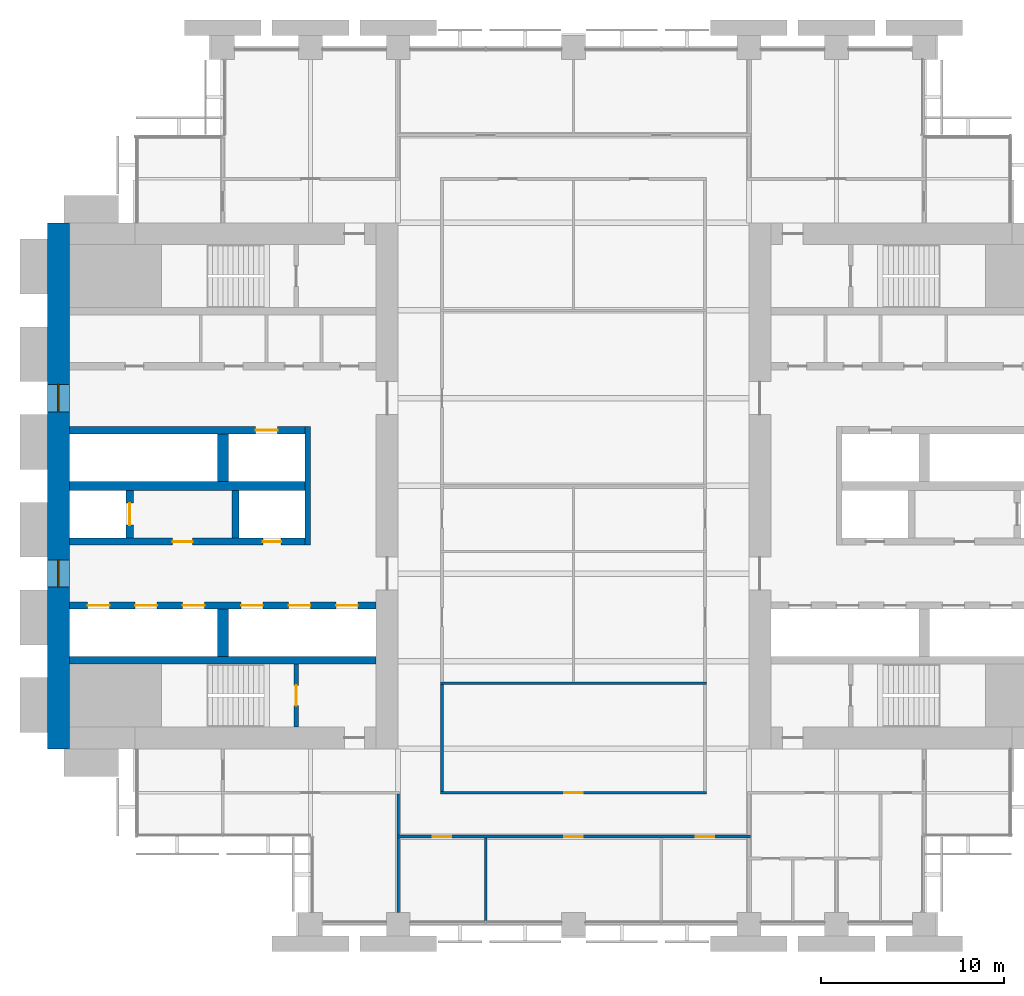
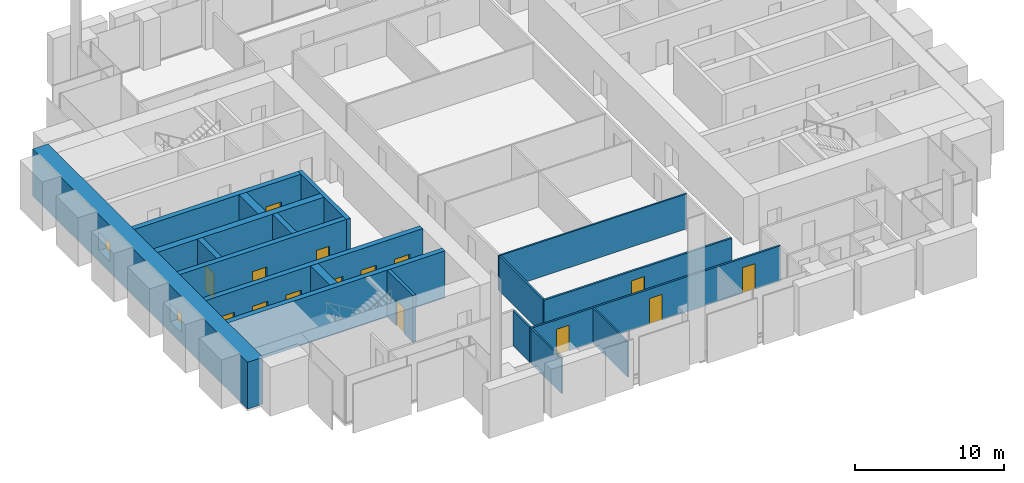
# One storey, part 9 of 14: 19 walls, 15 doors, 2 windows, 17 openings.
"""IFC4 building model written with IfcOpenShell, lengths in metres."""

from ifc_helpers import new_model, si_unit, direction, frame, frame_2d, origin, place, context, subcontext, project, spatial, rectangle, extrude, material, layer, layer_set, type_object, element, fill, save


model = new_model("IFC4")

# Units and contexts
model_context = context("Model", 3, precision=1e-05, world=origin(), true_north=direction((0.0, 1.0)))
body_context = subcontext(model_context, "Body", "Model", "MODEL_VIEW")
ifc_project = project(units=[si_unit("LENGTHUNIT", "METRE"), si_unit("AREAUNIT", "SQUARE_METRE"), si_unit("VOLUMEUNIT", "CUBIC_METRE"), si_unit("PLANEANGLEUNIT", "RADIAN"), si_unit("MASSUNIT", "GRAM", prefix="KILO")], contexts=[model_context])

# Site, building, storey
site_placement = place(None, origin())
site = spatial("IfcSite", under=ifc_project, at=site_placement, CompositionType="ELEMENT")
building_placement = place(site_placement, origin())
building = spatial("IfcBuilding", under=site, at=building_placement, Name="Baori Bourse Tower", CompositionType="ELEMENT")
storey_placement = place(building_placement, frame((0.0, 0.0, 51.0)))
storey = spatial("IfcBuildingStorey", under=building, at=storey_placement, Name="L10", CompositionType="ELEMENT", Elevation=51.0)

# Wall, openings, windows
ifc_material_1 = material(Name="Concrete f'c 70 MPa", Category="concrete")
ifc_layer_1 = layer(ifc_material_1, 1.199951171875)
ifc_layer_set_1 = layer_set([ifc_layer_1], Name="Core wall 1200 f'c 70")
wall_type_1 = type_object("IfcWallType", Name="Core wall 1200 f'c 70", PredefinedType="SHEAR", material=ifc_layer_set_1)
wall_1_placement = place(storey_placement, frame((0.60009765625, 9.60009765625, 0.0), z_axis=(0.0, 0.0, 1.0), x_axis=(0.0, 1.0, 0.0)))
wall_1 = element("IfcWall", 1, at=wall_1_placement, inside=storey, type_object=wall_type_1, Name="Core wall W01", PredefinedType="SHEAR", context=body_context, shape_type="SweptSolid", body=[
    extrude(rectangle(XDim=28.7998046875, YDim=1.199951171875, at=frame_2d((14.39990234375, 0.0))), origin(), (0.0, 0.0, 1.0), 3.840087890625),
])
opening_1_placement = place(wall_1_placement, frame((8.85009765625, 0.0, 0.89990234375)))
opening_1 = element("IfcOpeningElement", 2, at=opening_1_placement, cuts=wall_1, Name="Opening L10-KW101", PredefinedType="OPENING", context=body_context, shape_type="SweptSolid", body=[
    extrude(rectangle(XDim=1.5, YDim=1.5, at=frame_2d((0.75, 0.75))), frame((0.0, 0.60986328125, 0.0), z_axis=(0.0, -1.0, 0.0), x_axis=(1.0, 0.0, 0.0)), (0.0, 0.0, 1.0), 1.219970703125),
])
opening_2_placement = place(wall_1_placement, frame((18.449951171875, 0.0, 0.89990234375)))
opening_2 = element("IfcOpeningElement", 3, at=opening_2_placement, cuts=wall_1, Name="Opening L10-KW102", PredefinedType="OPENING", context=body_context, shape_type="SweptSolid", body=[
    extrude(rectangle(XDim=1.5, YDim=1.5, at=frame_2d((0.75, 0.75))), frame((0.0, 0.60986328125, 0.0), z_axis=(0.0, -1.0, 0.0), x_axis=(1.0, 0.0, 0.0)), (0.0, 0.0, 1.0), 1.219970703125),
])
ifc_material_2 = material(Name="Pale anodised aluminium", Category="aluminium")
window_type = type_object("IfcWindowType", Name="Lobby window 1500 x 1500", PartitioningType="SINGLE_PANEL", PredefinedType="WINDOW", material=ifc_material_2)
window_1_placement = place(opening_1_placement, origin())
window_1 = element("IfcWindow", 4, at=window_1_placement, inside=storey, type_object=window_type, Name="Outer wall window W L10 1", OverallHeight=1.5, OverallWidth=1.5, PartitioningType="SINGLE_PANEL", PredefinedType="WINDOW", context=body_context, shape_type="SweptSolid", body=[
    extrude(rectangle(XDim=1.5, YDim=1.5, at=frame_2d((0.75, 0.75))), frame((0.0, 0.030029296875, 0.0), z_axis=(0.0, -1.0, 0.0), x_axis=(1.0, 0.0, 0.0)), (0.0, 0.0, 1.0), 0.06005859375),
])
fill(opening_1, window_1)
window_2_placement = place(opening_2_placement, origin())
window_2 = element("IfcWindow", 5, at=window_2_placement, inside=storey, type_object=window_type, Name="Outer wall window W L10 2", OverallHeight=1.5, OverallWidth=1.5, PartitioningType="SINGLE_PANEL", PredefinedType="WINDOW", context=body_context, shape_type="SweptSolid", body=[
    extrude(rectangle(XDim=1.5, YDim=1.5, at=frame_2d((0.75, 0.75))), frame((0.0, 0.030029296875, 0.0), z_axis=(0.0, -1.0, 0.0), x_axis=(1.0, 0.0, 0.0)), (0.0, 0.0, 1.0), 0.06005859375),
])
fill(opening_2, window_2)

# Wall, openings, doors
ifc_material_3 = material(Name="Gypsum board partition")
ifc_layer_2 = layer(ifc_material_3, 0.14990234375)
ifc_layer_set_2 = layer_set([ifc_layer_2], Name="Corridor partition 150")
wall_type_2 = type_object("IfcWallType", Name="Corridor partition 150", PredefinedType="PARTITIONING", material=ifc_layer_set_2)
wall_2_placement = place(storey_placement, frame((19.125, 4.800048828125, 0.0), z_axis=(0.0, 0.0, 1.0), x_axis=(1.0, 0.0, 0.0)))
wall_2 = element("IfcWall", 6, at=wall_2_placement, inside=storey, type_object=wall_type_2, Name="Partition", PredefinedType="PARTITIONING", context=body_context, shape_type="SweptSolid", body=[
    extrude(rectangle(XDim=19.35009765625, YDim=0.14990234375, at=frame_2d((9.675048828125, 0.0))), origin(), (0.0, 0.0, 1.0), 2.86962890625),
])
opening_3_placement = place(wall_2_placement, frame((1.97509765625, 0.0, 0.0)))
opening_3 = element("IfcOpeningElement", 7, at=opening_3_placement, cuts=wall_2, Name="Opening L10-D04", PredefinedType="OPENING", context=body_context, shape_type="SweptSolid", body=[
    extrude(rectangle(XDim=1.0, YDim=2.10009765625, at=frame_2d((0.5, 1.050048828125))), frame((0.0, 0.0849609375, 0.0), z_axis=(0.0, -1.0, 0.0), x_axis=(1.0, 0.0, 0.0)), (0.0, 0.0, 1.0), 0.169921875),
])
opening_4_placement = place(wall_2_placement, frame((9.175048828125, 0.0, 0.0)))
opening_4 = element("IfcOpeningElement", 8, at=opening_4_placement, cuts=wall_2, Name="Opening L10-D05", PredefinedType="OPENING", context=body_context, shape_type="SweptSolid", body=[
    extrude(rectangle(XDim=1.0, YDim=2.10009765625, at=frame_2d((0.5, 1.050048828125))), frame((0.0, 0.0849609375, 0.0), z_axis=(0.0, -1.0, 0.0), x_axis=(1.0, 0.0, 0.0)), (0.0, 0.0, 1.0), 0.169921875),
])
opening_5_placement = place(wall_2_placement, frame((16.375, 0.0, 0.0)))
opening_5 = element("IfcOpeningElement", 9, at=opening_5_placement, cuts=wall_2, Name="Opening L10-D06", PredefinedType="OPENING", context=body_context, shape_type="SweptSolid", body=[
    extrude(rectangle(XDim=1.0, YDim=2.10009765625, at=frame_2d((0.5, 1.050048828125))), frame((0.0, 0.0849609375, 0.0), z_axis=(0.0, -1.0, 0.0), x_axis=(1.0, 0.0, 0.0)), (0.0, 0.0, 1.0), 0.169921875),
])
ifc_material_4 = material(Name="Timber door leaf", Category="wood")
door_type_1 = type_object("IfcDoorType", Name="Door 1000 x 2100", OperationType="SINGLE_SWING_LEFT", PredefinedType="DOOR", material=ifc_material_4)
door_1_placement = place(opening_3_placement, origin())
door_1 = element("IfcDoor", 10, at=door_1_placement, inside=storey, type_object=door_type_1, Name="Door", OperationType="SINGLE_SWING_LEFT", OverallHeight=2.10009765625, OverallWidth=1.0, PredefinedType="DOOR", context=body_context, shape_type="SweptSolid", body=[
    extrude(rectangle(XDim=1.0, YDim=2.10009765625, at=frame_2d((0.5, 1.050048828125))), frame((0.0, 0.02490234375, 0.0), z_axis=(0.0, -1.0, 0.0), x_axis=(1.0, 0.0, 0.0)), (0.0, 0.0, 1.0), 0.050048828125),
])
fill(opening_3, door_1)
door_2_placement = place(opening_4_placement, origin())
door_2 = element("IfcDoor", 11, at=door_2_placement, inside=storey, type_object=door_type_1, Name="Door", OperationType="SINGLE_SWING_LEFT", OverallHeight=2.10009765625, OverallWidth=1.0, PredefinedType="DOOR", context=body_context, shape_type="SweptSolid", body=[
    extrude(rectangle(XDim=1.0, YDim=2.10009765625, at=frame_2d((0.5, 1.050048828125))), frame((0.0, 0.02490234375, 0.0), z_axis=(0.0, -1.0, 0.0), x_axis=(1.0, 0.0, 0.0)), (0.0, 0.0, 1.0), 0.050048828125),
])
fill(opening_4, door_2)
door_3_placement = place(opening_5_placement, origin())
door_3 = element("IfcDoor", 12, at=door_3_placement, inside=storey, type_object=door_type_1, Name="Door", OperationType="SINGLE_SWING_RIGHT", OverallHeight=2.10009765625, OverallWidth=1.0, PredefinedType="DOOR", context=body_context, shape_type="SweptSolid", body=[
    extrude(rectangle(XDim=1.0, YDim=2.10009765625, at=frame_2d((0.5, 1.050048828125))), frame((0.0, 0.02490234375, 0.0), z_axis=(0.0, -1.0, 0.0), x_axis=(1.0, 0.0, 0.0)), (0.0, 0.0, 1.0), 0.050048828125),
])
fill(opening_5, door_3)

# Wall, opening, door
wall_3_placement = place(storey_placement, frame((21.52490234375, 7.199951171875, 0.0), z_axis=(0.0, 0.0, 1.0), x_axis=(1.0, 0.0, 0.0)))
wall_3 = element("IfcWall", 13, at=wall_3_placement, inside=storey, type_object=wall_type_2, Name="Partition", PredefinedType="PARTITIONING", context=body_context, shape_type="SweptSolid", body=[
    extrude(rectangle(XDim=14.550048828125, YDim=0.14990234375, at=frame_2d((7.27490234375, 0.0))), origin(), (0.0, 0.0, 1.0), 2.86962890625),
])
opening_6_placement = place(wall_3_placement, frame((6.77490234375, 0.0, 0.0)))
opening_6 = element("IfcOpeningElement", 14, at=opening_6_placement, cuts=wall_3, Name="Opening L10-D08", PredefinedType="OPENING", context=body_context, shape_type="SweptSolid", body=[
    extrude(rectangle(XDim=1.0, YDim=2.10009765625, at=frame_2d((0.5, 1.050048828125))), frame((0.0, 0.0849609375, 0.0), z_axis=(0.0, -1.0, 0.0), x_axis=(1.0, 0.0, 0.0)), (0.0, 0.0, 1.0), 0.169921875),
])
door_4_placement = place(opening_6_placement, origin())
door_4 = element("IfcDoor", 15, at=door_4_placement, inside=storey, type_object=door_type_1, Name="Door", OperationType="SINGLE_SWING_RIGHT", OverallHeight=2.10009765625, OverallWidth=1.0, PredefinedType="DOOR", context=body_context, shape_type="SweptSolid", body=[
    extrude(rectangle(XDim=1.0, YDim=2.10009765625, at=frame_2d((0.5, 1.050048828125))), frame((0.0, 0.02490234375, 0.0), z_axis=(0.0, -1.0, 0.0), x_axis=(1.0, 0.0, 0.0)), (0.0, 0.0, 1.0), 0.050048828125),
])
fill(opening_6, door_4)

# Walls
wall_4_placement = place(storey_placement, frame((19.199951171875, 4.875, 0.0), z_axis=(0.0, 0.0, 1.0), x_axis=(0.0, 1.0, 0.0)))
element("IfcWall", 16, at=wall_4_placement, inside=storey, type_object=wall_type_2, Name="Partition", PredefinedType="PARTITIONING", context=body_context, shape_type="SweptSolid", body=[
    extrude(rectangle(XDim=2.25, YDim=0.14990234375, at=frame_2d((1.125, 0.0))), origin(), (0.0, 0.0, 1.0), 2.86962890625),
])
wall_5_placement = place(storey_placement, frame((21.60009765625, 7.27490234375, 0.0), z_axis=(0.0, 0.0, 1.0), x_axis=(0.0, 1.0, 0.0)))
element("IfcWall", 17, at=wall_5_placement, inside=storey, type_object=wall_type_2, Name="Partition", PredefinedType="PARTITIONING", context=body_context, shape_type="SweptSolid", body=[
    extrude(rectangle(XDim=5.862548828125, YDim=0.14990234375, at=frame_2d((2.93115234375, 0.0))), origin(), (0.0, 0.0, 1.0), 2.86962890625),
])
ifc_material_5 = material(Name="Gypsum board partition")
ifc_layer_3 = layer(ifc_material_5, 0.125)
ifc_layer_set_3 = layer_set([ifc_layer_3], Name="Partition 125")
wall_type_3 = type_object("IfcWallType", Name="Partition 125", PredefinedType="PARTITIONING", material=ifc_layer_set_3)
wall_6_placement = place(storey_placement, frame((21.52490234375, 13.199951171875, 0.0), z_axis=(0.0, 0.0, 1.0), x_axis=(1.0, 0.0, 0.0)))
element("IfcWall", 18, at=wall_6_placement, inside=storey, type_object=wall_type_3, Name="Partition", PredefinedType="PARTITIONING", context=body_context, shape_type="SweptSolid", body=[
    extrude(rectangle(XDim=14.550048828125, YDim=0.125, at=frame_2d((7.27490234375, 0.0))), origin(), (0.0, 0.0, 1.0), 2.86962890625),
])
wall_7_placement = place(storey_placement, frame((19.199951171875, 0.64990234375, 0.0), z_axis=(0.0, 0.0, 1.0), x_axis=(0.0, 1.0, 0.0)))
element("IfcWall", 19, at=wall_7_placement, inside=storey, type_object=wall_type_3, Name="Partition", PredefinedType="PARTITIONING", context=body_context, shape_type="SweptSolid", body=[
    extrude(rectangle(XDim=4.0751953125, YDim=0.125, at=frame_2d((2.03759765625, 0.0))), origin(), (0.0, 0.0, 1.0), 2.86962890625),
])
wall_8_placement = place(storey_placement, frame((24.0, 0.10009765625, 0.0), z_axis=(0.0, 0.0, 1.0), x_axis=(0.0, 1.0, 0.0)))
element("IfcWall", 20, at=wall_8_placement, inside=storey, type_object=wall_type_3, Name="Partition", PredefinedType="PARTITIONING", context=body_context, shape_type="SweptSolid", body=[
    extrude(rectangle(XDim=4.625, YDim=0.125, at=frame_2d((2.3125, 0.0))), origin(), (0.0, 0.0, 1.0), 2.86962890625),
])

# Wall, opening, door
ifc_material_6 = material(Name="Concrete f'c 70 MPa", Category="concrete")
ifc_layer_4 = layer(ifc_material_6, 0.25)
ifc_layer_set_4 = layer_set([ifc_layer_4], Name="Shaft wall 250 f'c 70")
wall_type_4 = type_object("IfcWallType", Name="Shaft wall 250 f'c 70", PredefinedType="SHEAR", material=ifc_layer_set_4)
wall_9_placement = place(storey_placement, frame((13.625, 10.800048828125, 0.0), z_axis=(0.0, 0.0, 1.0), x_axis=(0.0, 1.0, 0.0)))
wall_9 = element("IfcWall", 21, at=wall_9_placement, inside=storey, type_object=wall_type_4, Name="Core wall W06", PredefinedType="SHEAR", context=body_context, shape_type="SweptSolid", body=[
    extrude(rectangle(XDim=3.449951171875, YDim=0.25, at=frame_2d((1.72509765625, 0.0))), origin(), (0.0, 0.0, 1.0), 3.840087890625),
])
opening_7_placement = place(wall_9_placement, frame((1.175048828125, 0.0, 0.0)))
opening_7 = element("IfcOpeningElement", 22, at=opening_7_placement, cuts=wall_9, Name="Opening L10-D101", PredefinedType="OPENING", context=body_context, shape_type="SweptSolid", body=[
    extrude(rectangle(XDim=1.10009765625, YDim=2.10009765625, at=frame_2d((0.550048828125, 1.050048828125))), frame((0.0, 0.135009765625, 0.0), z_axis=(0.0, -1.0, 0.0), x_axis=(1.0, 0.0, 0.0)), (0.0, 0.0, 1.0), 0.27001953125),
])
ifc_material_7 = material(Name="Painted steel door", Category="steel")
door_type_2 = type_object("IfcDoorType", Name="Stair door 1100", OperationType="SINGLE_SWING_LEFT", PredefinedType="DOOR", material=ifc_material_7)
door_5_placement = place(opening_7_placement, origin())
door_5 = element("IfcDoor", 23, at=door_5_placement, inside=storey, type_object=door_type_2, Name="Stair door A W L10", OperationType="SINGLE_SWING_LEFT", OverallHeight=2.10009765625, OverallWidth=1.10009765625, PredefinedType="DOOR", context=body_context, shape_type="SweptSolid", body=[
    extrude(rectangle(XDim=1.10009765625, YDim=2.10009765625, at=frame_2d((0.550048828125, 1.050048828125))), frame((0.0, 0.02490234375, 0.0), z_axis=(0.0, -1.0, 0.0), x_axis=(1.0, 0.0, 0.0)), (0.0, 0.0, 1.0), 0.050048828125),
])
fill(opening_7, door_5)

# Walls
ifc_material_8 = material(Name="Concrete f'c 70 MPa", Category="concrete")
ifc_layer_5 = layer(ifc_material_8, 0.300048828125)
ifc_layer_set_5 = layer_set([ifc_layer_5], Name="Shaft wall 300 f'c 70")
wall_type_5 = type_object("IfcWallType", Name="Shaft wall 300 f'c 70", PredefinedType="SHEAR", material=ifc_layer_set_5)
wall_10_placement = place(storey_placement, frame((14.25, 20.75, 0.0), z_axis=(0.0, 0.0, 1.0), x_axis=(0.0, 1.0, 0.0)))
element("IfcWall", 24, at=wall_10_placement, inside=storey, type_object=wall_type_5, Name="Core wall W11", PredefinedType="SHEAR", context=body_context, shape_type="SweptSolid", body=[
    extrude(rectangle(XDim=6.5, YDim=0.300048828125, at=frame_2d((3.25, 0.0))), origin(), (0.0, 0.0, 1.0), 3.840087890625),
])
ifc_material_9 = material(Name="Concrete f'c 70 MPa", Category="concrete")
ifc_layer_6 = layer(ifc_material_9, 0.39990234375)
ifc_layer_set_6 = layer_set([ifc_layer_6], Name="Shaft wall 400 f'c 70")
wall_type_6 = type_object("IfcWallType", Name="Shaft wall 400 f'c 70", PredefinedType="SHEAR", material=ifc_layer_set_6)
wall_11_placement = place(storey_placement, frame((1.199951171875, 14.449951171875, 0.0), z_axis=(0.0, 0.0, 1.0), x_axis=(1.0, 0.0, 0.0)))
element("IfcWall", 25, at=wall_11_placement, inside=storey, type_object=wall_type_6, Name="Core wall W07", PredefinedType="SHEAR", context=body_context, shape_type="SweptSolid", body=[
    extrude(rectangle(XDim=16.800048828125, YDim=0.39990234375, at=frame_2d((8.39990234375, 0.0))), origin(), (0.0, 0.0, 1.0), 3.840087890625),
])

# Wall, openings, doors
wall_12_placement = place(storey_placement, frame((1.199951171875, 17.449951171875, 0.0), z_axis=(0.0, 0.0, 1.0), x_axis=(1.0, 0.0, 0.0)))
wall_12 = element("IfcWall", 26, at=wall_12_placement, inside=storey, type_object=wall_type_6, Name="Core wall W09", PredefinedType="SHEAR", context=body_context, shape_type="SweptSolid", body=[
    extrude(rectangle(XDim=16.800048828125, YDim=0.39990234375, at=frame_2d((8.39990234375, 0.0))), origin(), (0.0, 0.0, 1.0), 3.840087890625),
])
opening_8_placement = place(wall_12_placement, frame((1.0, 0.0, 0.0)))
opening_8 = element("IfcOpeningElement", 27, at=opening_8_placement, cuts=wall_12, Name="Opening L10-D113", PredefinedType="OPENING", context=body_context, shape_type="SweptSolid", body=[
    extrude(rectangle(XDim=1.199951171875, YDim=2.10009765625, at=frame_2d((0.60009765625, 1.050048828125))), frame((0.0, 0.2099609375, 0.0), z_axis=(0.0, -1.0, 0.0), x_axis=(1.0, 0.0, 0.0)), (0.0, 0.0, 1.0), 0.419921875),
])
opening_9_placement = place(wall_12_placement, frame((3.60009765625, 0.0, 0.0)))
opening_9 = element("IfcOpeningElement", 28, at=opening_9_placement, cuts=wall_12, Name="Opening L10-D114", PredefinedType="OPENING", context=body_context, shape_type="SweptSolid", body=[
    extrude(rectangle(XDim=1.199951171875, YDim=2.10009765625, at=frame_2d((0.60009765625, 1.050048828125))), frame((0.0, 0.2099609375, 0.0), z_axis=(0.0, -1.0, 0.0), x_axis=(1.0, 0.0, 0.0)), (0.0, 0.0, 1.0), 0.419921875),
])
opening_10_placement = place(wall_12_placement, frame((6.199951171875, 0.0, 0.0)))
opening_10 = element("IfcOpeningElement", 29, at=opening_10_placement, cuts=wall_12, Name="Opening L10-D115", PredefinedType="OPENING", context=body_context, shape_type="SweptSolid", body=[
    extrude(rectangle(XDim=1.199951171875, YDim=2.10009765625, at=frame_2d((0.60009765625, 1.050048828125))), frame((0.0, 0.2099609375, 0.0), z_axis=(0.0, -1.0, 0.0), x_axis=(1.0, 0.0, 0.0)), (0.0, 0.0, 1.0), 0.419921875),
])
opening_11_placement = place(wall_12_placement, frame((9.39990234375, 0.0, 0.0)))
opening_11 = element("IfcOpeningElement", 30, at=opening_11_placement, cuts=wall_12, Name="Opening L10-D116", PredefinedType="OPENING", context=body_context, shape_type="SweptSolid", body=[
    extrude(rectangle(XDim=1.199951171875, YDim=2.10009765625, at=frame_2d((0.60009765625, 1.050048828125))), frame((0.0, 0.2099609375, 0.0), z_axis=(0.0, -1.0, 0.0), x_axis=(1.0, 0.0, 0.0)), (0.0, 0.0, 1.0), 0.419921875),
])
opening_12_placement = place(wall_12_placement, frame((12.0, 0.0, 0.0)))
opening_12 = element("IfcOpeningElement", 31, at=opening_12_placement, cuts=wall_12, Name="Opening L10-D117", PredefinedType="OPENING", context=body_context, shape_type="SweptSolid", body=[
    extrude(rectangle(XDim=1.199951171875, YDim=2.10009765625, at=frame_2d((0.60009765625, 1.050048828125))), frame((0.0, 0.2099609375, 0.0), z_axis=(0.0, -1.0, 0.0), x_axis=(1.0, 0.0, 0.0)), (0.0, 0.0, 1.0), 0.419921875),
])
opening_13_placement = place(wall_12_placement, frame((14.60009765625, 0.0, 0.0)))
opening_13 = element("IfcOpeningElement", 32, at=opening_13_placement, cuts=wall_12, Name="Opening L10-D118", PredefinedType="OPENING", context=body_context, shape_type="SweptSolid", body=[
    extrude(rectangle(XDim=1.199951171875, YDim=2.10009765625, at=frame_2d((0.60009765625, 1.050048828125))), frame((0.0, 0.2099609375, 0.0), z_axis=(0.0, -1.0, 0.0), x_axis=(1.0, 0.0, 0.0)), (0.0, 0.0, 1.0), 0.419921875),
])
ifc_material_10 = material(Name="Stainless steel door", Category="steel")
door_type_3 = type_object("IfcDoorType", Name="Lift landing door", OperationType="DOUBLE_DOOR_SLIDING", PredefinedType="DOOR", material=ifc_material_10)
door_6_placement = place(opening_8_placement, origin())
door_6 = element("IfcDoor", 33, at=door_6_placement, inside=storey, type_object=door_type_3, Name="Lift landing door LR1 W L10", OperationType="DOUBLE_DOOR_SLIDING", OverallHeight=2.10009765625, OverallWidth=1.199951171875, PredefinedType="DOOR", context=body_context, shape_type="SweptSolid", body=[
    extrude(rectangle(XDim=1.199951171875, YDim=2.10009765625, at=frame_2d((0.60009765625, 1.050048828125))), frame((0.0, 0.02490234375, 0.0), z_axis=(0.0, -1.0, 0.0), x_axis=(1.0, 0.0, 0.0)), (0.0, 0.0, 1.0), 0.050048828125),
])
fill(opening_8, door_6)
door_7_placement = place(opening_9_placement, origin())
door_7 = element("IfcDoor", 34, at=door_7_placement, inside=storey, type_object=door_type_3, Name="Lift landing door LR2 W L10", OperationType="DOUBLE_DOOR_SLIDING", OverallHeight=2.10009765625, OverallWidth=1.199951171875, PredefinedType="DOOR", context=body_context, shape_type="SweptSolid", body=[
    extrude(rectangle(XDim=1.199951171875, YDim=2.10009765625, at=frame_2d((0.60009765625, 1.050048828125))), frame((0.0, 0.02490234375, 0.0), z_axis=(0.0, -1.0, 0.0), x_axis=(1.0, 0.0, 0.0)), (0.0, 0.0, 1.0), 0.050048828125),
])
fill(opening_9, door_7)
door_8_placement = place(opening_10_placement, origin())
door_8 = element("IfcDoor", 35, at=door_8_placement, inside=storey, type_object=door_type_3, Name="Lift landing door LR3 W L10", OperationType="DOUBLE_DOOR_SLIDING", OverallHeight=2.10009765625, OverallWidth=1.199951171875, PredefinedType="DOOR", context=body_context, shape_type="SweptSolid", body=[
    extrude(rectangle(XDim=1.199951171875, YDim=2.10009765625, at=frame_2d((0.60009765625, 1.050048828125))), frame((0.0, 0.02490234375, 0.0), z_axis=(0.0, -1.0, 0.0), x_axis=(1.0, 0.0, 0.0)), (0.0, 0.0, 1.0), 0.050048828125),
])
fill(opening_10, door_8)
door_9_placement = place(opening_11_placement, origin())
door_9 = element("IfcDoor", 36, at=door_9_placement, inside=storey, type_object=door_type_3, Name="Lift landing door LR4 W L10", OperationType="DOUBLE_DOOR_SLIDING", OverallHeight=2.10009765625, OverallWidth=1.199951171875, PredefinedType="DOOR", context=body_context, shape_type="SweptSolid", body=[
    extrude(rectangle(XDim=1.199951171875, YDim=2.10009765625, at=frame_2d((0.60009765625, 1.050048828125))), frame((0.0, 0.02490234375, 0.0), z_axis=(0.0, -1.0, 0.0), x_axis=(1.0, 0.0, 0.0)), (0.0, 0.0, 1.0), 0.050048828125),
])
fill(opening_11, door_9)
door_10_placement = place(opening_12_placement, origin())
door_10 = element("IfcDoor", 37, at=door_10_placement, inside=storey, type_object=door_type_3, Name="Lift landing door LR5 W L10", OperationType="DOUBLE_DOOR_SLIDING", OverallHeight=2.10009765625, OverallWidth=1.199951171875, PredefinedType="DOOR", context=body_context, shape_type="SweptSolid", body=[
    extrude(rectangle(XDim=1.199951171875, YDim=2.10009765625, at=frame_2d((0.60009765625, 1.050048828125))), frame((0.0, 0.02490234375, 0.0), z_axis=(0.0, -1.0, 0.0), x_axis=(1.0, 0.0, 0.0)), (0.0, 0.0, 1.0), 0.050048828125),
])
fill(opening_12, door_10)
door_11_placement = place(opening_13_placement, origin())
door_11 = element("IfcDoor", 38, at=door_11_placement, inside=storey, type_object=door_type_3, Name="Lift landing door LR6 W L10", OperationType="DOUBLE_DOOR_SLIDING", OverallHeight=2.10009765625, OverallWidth=1.199951171875, PredefinedType="DOOR", context=body_context, shape_type="SweptSolid", body=[
    extrude(rectangle(XDim=1.199951171875, YDim=2.10009765625, at=frame_2d((0.60009765625, 1.050048828125))), frame((0.0, 0.02490234375, 0.0), z_axis=(0.0, -1.0, 0.0), x_axis=(1.0, 0.0, 0.0)), (0.0, 0.0, 1.0), 0.050048828125),
])
fill(opening_13, door_11)

wall_13_placement = place(storey_placement, frame((1.199951171875, 20.949951171875, 0.0), z_axis=(0.0, 0.0, 1.0), x_axis=(1.0, 0.0, 0.0)))
wall_13 = element("IfcWall", 39, at=wall_13_placement, inside=storey, type_object=wall_type_6, Name="Core wall W10", PredefinedType="SHEAR", context=body_context, shape_type="SweptSolid", body=[
    extrude(rectangle(XDim=12.900146484375, YDim=0.39990234375, at=frame_2d((6.4501953125, 0.0))), origin(), (0.0, 0.0, 1.0), 3.840087890625),
])
opening_14_placement = place(wall_13_placement, frame((5.64990234375, 0.0, 0.0)))
opening_14 = element("IfcOpeningElement", 40, at=opening_14_placement, cuts=wall_13, Name="Opening L10-D105", PredefinedType="OPENING", context=body_context, shape_type="SweptSolid", body=[
    extrude(rectangle(XDim=1.10009765625, YDim=2.10009765625, at=frame_2d((0.550048828125, 1.050048828125))), frame((0.0, 0.2099609375, 0.0), z_axis=(0.0, -1.0, 0.0), x_axis=(1.0, 0.0, 0.0)), (0.0, 0.0, 1.0), 0.419921875),
])
opening_15_placement = place(wall_13_placement, frame((10.60009765625, 0.0, 0.0)))
opening_15 = element("IfcOpeningElement", 41, at=opening_15_placement, cuts=wall_13, Name="Opening L10-D106", PredefinedType="OPENING", context=body_context, shape_type="SweptSolid", body=[
    extrude(rectangle(XDim=1.0, YDim=2.10009765625, at=frame_2d((0.5, 1.050048828125))), frame((0.0, 0.2099609375, 0.0), z_axis=(0.0, -1.0, 0.0), x_axis=(1.0, 0.0, 0.0)), (0.0, 0.0, 1.0), 0.419921875),
])
ifc_material_11 = material(Name="Painted steel door", Category="steel")
door_type_4 = type_object("IfcDoorType", Name="Lobby door 1100", OperationType="SINGLE_SWING_LEFT", PredefinedType="DOOR", material=ifc_material_11)
door_12_placement = place(opening_14_placement, origin())
door_12 = element("IfcDoor", 42, at=door_12_placement, inside=storey, type_object=door_type_4, Name="Firefighting lobby door W L10", OperationType="SINGLE_SWING_LEFT", OverallHeight=2.10009765625, OverallWidth=1.10009765625, PredefinedType="DOOR", context=body_context, shape_type="SweptSolid", body=[
    extrude(rectangle(XDim=1.10009765625, YDim=2.10009765625, at=frame_2d((0.550048828125, 1.050048828125))), frame((0.0, 0.02490234375, 0.0), z_axis=(0.0, -1.0, 0.0), x_axis=(1.0, 0.0, 0.0)), (0.0, 0.0, 1.0), 0.050048828125),
])
fill(opening_14, door_12)
ifc_material_12 = material(Name="Painted steel door", Category="steel")
door_type_5 = type_object("IfcDoorType", Name="Shaft door 1000", OperationType="SINGLE_SWING_LEFT", PredefinedType="DOOR", material=ifc_material_12)
door_13_placement = place(opening_15_placement, origin())
door_13 = element("IfcDoor", 43, at=door_13_placement, inside=storey, type_object=door_type_5, Name="Riser room door W L10", OperationType="SINGLE_SWING_LEFT", OverallHeight=2.10009765625, OverallWidth=1.0, PredefinedType="DOOR", context=body_context, shape_type="SweptSolid", body=[
    extrude(rectangle(XDim=1.0, YDim=2.10009765625, at=frame_2d((0.5, 1.050048828125))), frame((0.0, 0.02490234375, 0.0), z_axis=(0.0, -1.0, 0.0), x_axis=(1.0, 0.0, 0.0)), (0.0, 0.0, 1.0), 0.050048828125),
])
fill(opening_15, door_13)

# Wall, opening, door
wall_14_placement = place(storey_placement, frame((4.5, 21.14990234375, 0.0), z_axis=(0.0, 0.0, 1.0), x_axis=(0.0, 1.0, 0.0)))
wall_14 = element("IfcWall", 44, at=wall_14_placement, inside=storey, type_object=wall_type_6, Name="Core wall W12", PredefinedType="SHEAR", context=body_context, shape_type="SweptSolid", body=[
    extrude(rectangle(XDim=2.60009765625, YDim=0.39990234375, at=frame_2d((1.300048828125, 0.0))), origin(), (0.0, 0.0, 1.0), 3.840087890625),
])
opening_16_placement = place(wall_14_placement, frame((0.699951171875, 0.0, 0.0)))
opening_16 = element("IfcOpeningElement", 45, at=opening_16_placement, cuts=wall_14, Name="Opening L10-D120", PredefinedType="OPENING", context=body_context, shape_type="SweptSolid", body=[
    extrude(rectangle(XDim=1.199951171875, YDim=2.10009765625, at=frame_2d((0.60009765625, 1.050048828125))), frame((0.0, 0.2099609375, 0.0), z_axis=(0.0, -1.0, 0.0), x_axis=(1.0, 0.0, 0.0)), (0.0, 0.0, 1.0), 0.419921875),
])
door_14_placement = place(opening_16_placement, origin())
door_14 = element("IfcDoor", 46, at=door_14_placement, inside=storey, type_object=door_type_3, Name="Lift landing door FF1 W L10", OperationType="DOUBLE_DOOR_SLIDING", OverallHeight=2.10009765625, OverallWidth=1.199951171875, PredefinedType="DOOR", context=body_context, shape_type="SweptSolid", body=[
    extrude(rectangle(XDim=1.199951171875, YDim=2.10009765625, at=frame_2d((0.60009765625, 1.050048828125))), frame((0.0, 0.02490234375, 0.0), z_axis=(0.0, -1.0, 0.0), x_axis=(1.0, 0.0, 0.0)), (0.0, 0.0, 1.0), 0.050048828125),
])
fill(opening_16, door_14)

# Wall
wall_15_placement = place(storey_placement, frame((10.300048828125, 21.14990234375, 0.0), z_axis=(0.0, 0.0, 1.0), x_axis=(0.0, 1.0, 0.0)))
element("IfcWall", 47, at=wall_15_placement, inside=storey, type_object=wall_type_6, Name="Core wall W13", PredefinedType="SHEAR", context=body_context, shape_type="SweptSolid", body=[
    extrude(rectangle(XDim=2.60009765625, YDim=0.39990234375, at=frame_2d((1.300048828125, 0.0))), origin(), (0.0, 0.0, 1.0), 3.840087890625),
])

# Wall, opening, door
wall_16_placement = place(storey_placement, frame((1.199951171875, 27.050048828125, 0.0), z_axis=(0.0, 0.0, 1.0), x_axis=(1.0, 0.0, 0.0)))
wall_16 = element("IfcWall", 48, at=wall_16_placement, inside=storey, type_object=wall_type_6, Name="Core wall W16", PredefinedType="SHEAR", context=body_context, shape_type="SweptSolid", body=[
    extrude(rectangle(XDim=12.900146484375, YDim=0.39990234375, at=frame_2d((6.4501953125, 0.0))), origin(), (0.0, 0.0, 1.0), 3.840087890625),
])
opening_17_placement = place(wall_16_placement, frame((10.199951171875, 0.0, 0.0)))
opening_17 = element("IfcOpeningElement", 49, at=opening_17_placement, cuts=wall_16, Name="Opening L10-D119", PredefinedType="OPENING", context=body_context, shape_type="SweptSolid", body=[
    extrude(rectangle(XDim=1.199951171875, YDim=2.10009765625, at=frame_2d((0.60009765625, 1.050048828125))), frame((0.0, 0.2099609375, 0.0), z_axis=(0.0, -1.0, 0.0), x_axis=(1.0, 0.0, 0.0)), (0.0, 0.0, 1.0), 0.419921875),
])
door_15_placement = place(opening_17_placement, origin())
door_15 = element("IfcDoor", 50, at=door_15_placement, inside=storey, type_object=door_type_3, Name="Lift landing door SV1 W L10", OperationType="DOUBLE_DOOR_SLIDING", OverallHeight=2.10009765625, OverallWidth=1.199951171875, PredefinedType="DOOR", context=body_context, shape_type="SweptSolid", body=[
    extrude(rectangle(XDim=1.199951171875, YDim=2.10009765625, at=frame_2d((0.60009765625, 1.050048828125))), frame((0.0, 0.02490234375, 0.0), z_axis=(0.0, -1.0, 0.0), x_axis=(1.0, 0.0, 0.0)), (0.0, 0.0, 1.0), 0.050048828125),
])
fill(opening_17, door_15)

# Walls
ifc_material_13 = material(Name="Concrete f'c 70 MPa", Category="concrete")
ifc_layer_7 = layer(ifc_material_13, 0.5)
ifc_layer_set_7 = layer_set([ifc_layer_7], Name="Shaft wall 500 f'c 70")
wall_type_7 = type_object("IfcWallType", Name="Shaft wall 500 f'c 70", PredefinedType="SHEAR", material=ifc_layer_set_7)
wall_17_placement = place(storey_placement, frame((1.199951171875, 24.0, 0.0), z_axis=(0.0, 0.0, 1.0), x_axis=(1.0, 0.0, 0.0)))
element("IfcWall", 51, at=wall_17_placement, inside=storey, type_object=wall_type_7, Name="Core wall W14", PredefinedType="SHEAR", context=body_context, shape_type="SweptSolid", body=[
    extrude(rectangle(XDim=12.900146484375, YDim=0.5, at=frame_2d((6.4501953125, 0.0))), origin(), (0.0, 0.0, 1.0), 3.840087890625),
])
ifc_material_14 = material(Name="Concrete f'c 70 MPa", Category="concrete")
ifc_layer_8 = layer(ifc_material_14, 0.60009765625)
ifc_layer_set_8 = layer_set([ifc_layer_8], Name="Shaft wall 600 f'c 70")
wall_type_8 = type_object("IfcWallType", Name="Shaft wall 600 f'c 70", PredefinedType="SHEAR", material=ifc_layer_set_8)
for number, where, z_axis, x_axis, name in (
    (52, (9.60009765625, 14.64990234375, 0.0), (0.0, 0.0, 1.0), (0.0, 1.0, 0.0), "Core wall W08"),
    (53, (9.60009765625, 24.25, 0.0), (0.0, 0.0, 1.0), (0.0, 1.0, 0.0), "Core wall W15"),
):
    element("IfcWall", number, at=place(storey_placement, frame(where, z_axis=z_axis, x_axis=x_axis)), inside=storey, type_object=wall_type_8, Name=name, PredefinedType="SHEAR", context=body_context, shape_type="SweptSolid", body=[
        extrude(rectangle(XDim=2.60009765625, YDim=0.60009765625, at=frame_2d((1.300048828125, 0.0))), origin(), (0.0, 0.0, 1.0), 3.840087890625),
    ])

save(model, "model.ifc")
